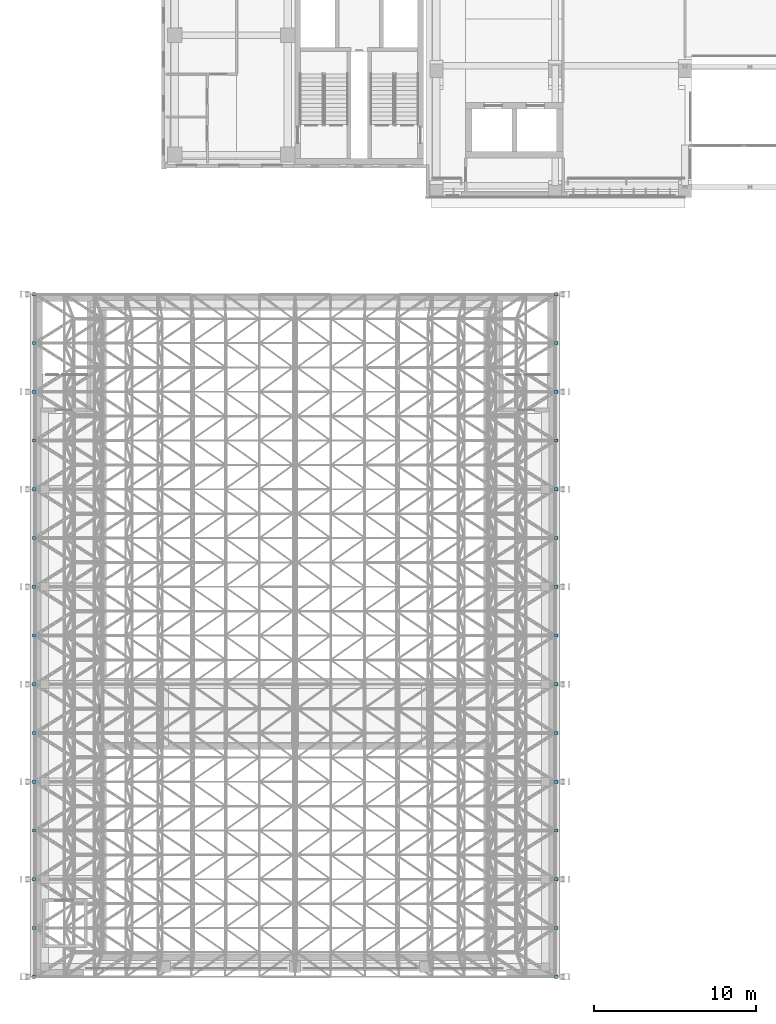
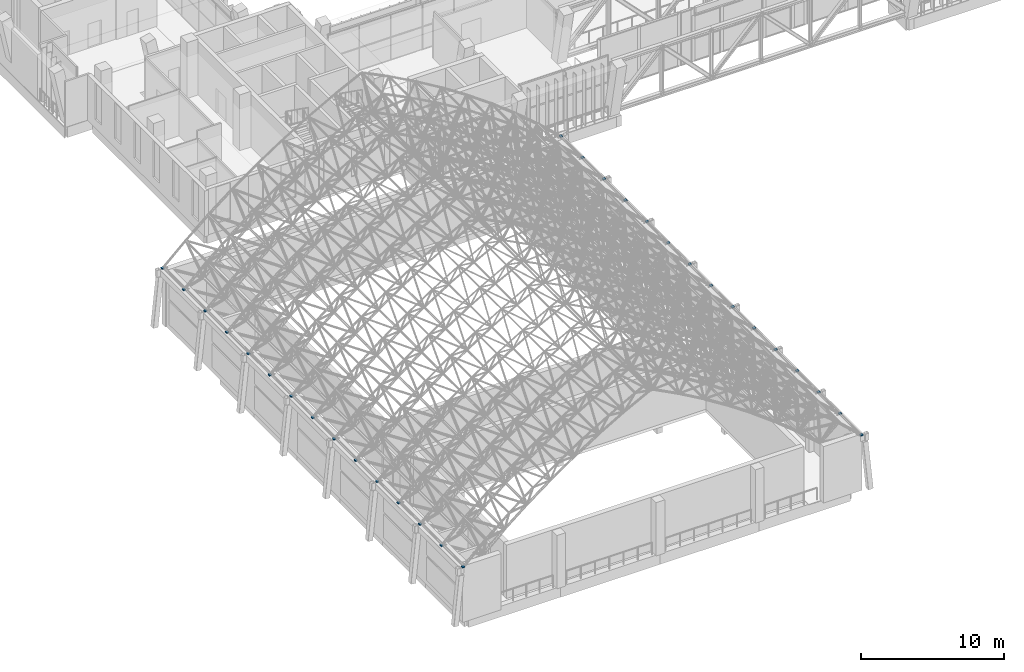
# One storey, part 117 of 141: 30 discrete accessories.
"""IFC4 building model written with IfcOpenShell, lengths in metres."""

from ifc_helpers import new_model, si_unit, direction, frame, origin, origin_2d, place, context, subcontext, project, spatial, rectangle, extrude, element, save


model = new_model("IFC4")

# Units and contexts
model_context = context("Model", 3, precision=1e-05, world=origin(), true_north=direction((0.0, 1.0)))
body_context = subcontext(model_context, "Body", "Model", "MODEL_VIEW")
ifc_project = project(units=[si_unit("LENGTHUNIT", "METRE"), si_unit("AREAUNIT", "SQUARE_METRE"), si_unit("VOLUMEUNIT", "CUBIC_METRE"), si_unit("PLANEANGLEUNIT", "RADIAN"), si_unit("MASSUNIT", "GRAM", prefix="KILO")], contexts=[model_context])

# Site, building, storey
site_placement = place(None, origin())
site = spatial("IfcSite", under=ifc_project, at=site_placement, CompositionType="ELEMENT")
building_placement = place(site_placement, origin())
building = spatial("IfcBuilding", under=site, at=building_placement, Name="Lantern Court Media Centre", CompositionType="ELEMENT")
storey_placement = place(building_placement, frame((0.0, 0.0, 9.60009765625)))
storey = spatial("IfcBuildingStorey", under=building, at=storey_placement, Name="L02", CompositionType="ELEMENT", Elevation=9.60009765625)

# Discrete accessories
for number, where, z_axis, x_axis, name in (
    (1, (-0.070068359375, -2.0, 4.699951171875), (0.0, 0.0, 1.0), (1.0, 0.0, 0.0), "Cinema Hall bearing shoe west 01"),
    (2, (-0.070068359375, 1.0, 4.699951171875), (0.0, 0.0, 1.0), (1.0, 0.0, 0.0), "Cinema Hall bearing shoe west 02"),
    (3, (-0.070068359375, 4.0, 4.699951171875), (0.0, 0.0, 1.0), (1.0, 0.0, 0.0), "Cinema Hall bearing shoe west 03"),
    (4, (-0.070068359375, 7.0, 4.699951171875), (0.0, 0.0, 1.0), (1.0, 0.0, 0.0), "Cinema Hall bearing shoe west 04"),
    (5, (-0.070068359375, 10.0, 4.699951171875), (0.0, 0.0, 1.0), (1.0, 0.0, 0.0), "Cinema Hall bearing shoe west 05"),
    (6, (-0.070068359375, 13.0, 4.699951171875), (0.0, 0.0, 1.0), (1.0, 0.0, 0.0), "Cinema Hall bearing shoe west 06"),
    (7, (-0.070068359375, 16.0, 4.699951171875), (0.0, 0.0, 1.0), (1.0, 0.0, 0.0), "Cinema Hall bearing shoe west 07"),
    (8, (-0.070068359375, 19.0, 4.699951171875), (0.0, 0.0, 1.0), (1.0, 0.0, 0.0), "Cinema Hall bearing shoe west 08"),
    (9, (-0.070068359375, 22.0, 4.699951171875), (0.0, 0.0, 1.0), (1.0, 0.0, 0.0), "Cinema Hall bearing shoe west 09"),
    (10, (-0.070068359375, 25.0, 4.699951171875), (0.0, 0.0, 1.0), (1.0, 0.0, 0.0), "Cinema Hall bearing shoe west 10"),
    (11, (-0.070068359375, 28.0, 4.699951171875), (0.0, 0.0, 1.0), (1.0, 0.0, 0.0), "Cinema Hall bearing shoe west 11"),
    (12, (-0.070068359375, 31.0, 4.699951171875), (0.0, 0.0, 1.0), (1.0, 0.0, 0.0), "Cinema Hall bearing shoe west 12"),
    (13, (-0.070068359375, 34.0, 4.699951171875), (0.0, 0.0, 1.0), (1.0, 0.0, 0.0), "Cinema Hall bearing shoe west 13"),
    (14, (-0.070068359375, 37.0, 4.699951171875), (0.0, 0.0, 1.0), (1.0, 0.0, 0.0), "Cinema Hall bearing shoe west 14"),
    (15, (-0.070068359375, 40.0, 4.699951171875), (0.0, 0.0, 1.0), (1.0, 0.0, 0.0), "Cinema Hall bearing shoe west 15"),
    (16, (32.070068359375, -2.0, 4.699951171875), (0.0, 0.0, 1.0), (1.0, 0.0, 0.0), "Cinema Hall bearing shoe east 01"),
    (17, (32.070068359375, 1.0, 4.699951171875), (0.0, 0.0, 1.0), (1.0, 0.0, 0.0), "Cinema Hall bearing shoe east 02"),
    (18, (32.070068359375, 4.0, 4.699951171875), (0.0, 0.0, 1.0), (1.0, 0.0, 0.0), "Cinema Hall bearing shoe east 03"),
    (19, (32.070068359375, 7.0, 4.699951171875), (0.0, 0.0, 1.0), (1.0, 0.0, 0.0), "Cinema Hall bearing shoe east 04"),
    (20, (32.070068359375, 10.0, 4.699951171875), (0.0, 0.0, 1.0), (1.0, 0.0, 0.0), "Cinema Hall bearing shoe east 05"),
    (21, (32.070068359375, 13.0, 4.699951171875), (0.0, 0.0, 1.0), (1.0, 0.0, 0.0), "Cinema Hall bearing shoe east 06"),
    (22, (32.070068359375, 16.0, 4.699951171875), (0.0, 0.0, 1.0), (1.0, 0.0, 0.0), "Cinema Hall bearing shoe east 07"),
    (23, (32.070068359375, 19.0, 4.699951171875), (0.0, 0.0, 1.0), (1.0, 0.0, 0.0), "Cinema Hall bearing shoe east 08"),
    (24, (32.070068359375, 22.0, 4.699951171875), (0.0, 0.0, 1.0), (1.0, 0.0, 0.0), "Cinema Hall bearing shoe east 09"),
    (25, (32.070068359375, 25.0, 4.699951171875), (0.0, 0.0, 1.0), (1.0, 0.0, 0.0), "Cinema Hall bearing shoe east 10"),
    (26, (32.070068359375, 28.0, 4.699951171875), (0.0, 0.0, 1.0), (1.0, 0.0, 0.0), "Cinema Hall bearing shoe east 11"),
    (27, (32.070068359375, 31.0, 4.699951171875), (0.0, 0.0, 1.0), (1.0, 0.0, 0.0), "Cinema Hall bearing shoe east 12"),
    (28, (32.070068359375, 34.0, 4.699951171875), (0.0, 0.0, 1.0), (1.0, 0.0, 0.0), "Cinema Hall bearing shoe east 13"),
    (29, (32.070068359375, 37.0, 4.699951171875), (0.0, 0.0, 1.0), (1.0, 0.0, 0.0), "Cinema Hall bearing shoe east 14"),
    (30, (32.070068359375, 40.0, 4.699951171875), (0.0, 0.0, 1.0), (1.0, 0.0, 0.0), "Cinema Hall bearing shoe east 15"),
):
    element("IfcDiscreteAccessory", number, at=place(storey_placement, frame(where, z_axis=z_axis, x_axis=x_axis)), inside=storey, Name=name, PredefinedType="SHOE", context=body_context, shape_type="SweptSolid", body=[
        extrude(rectangle(XDim=0.199951171875, YDim=0.199951171875, at=origin_2d()), origin(), (0.0, 0.0, 1.0), 0.10009765625),
    ])

save(model, "model.ifc")
